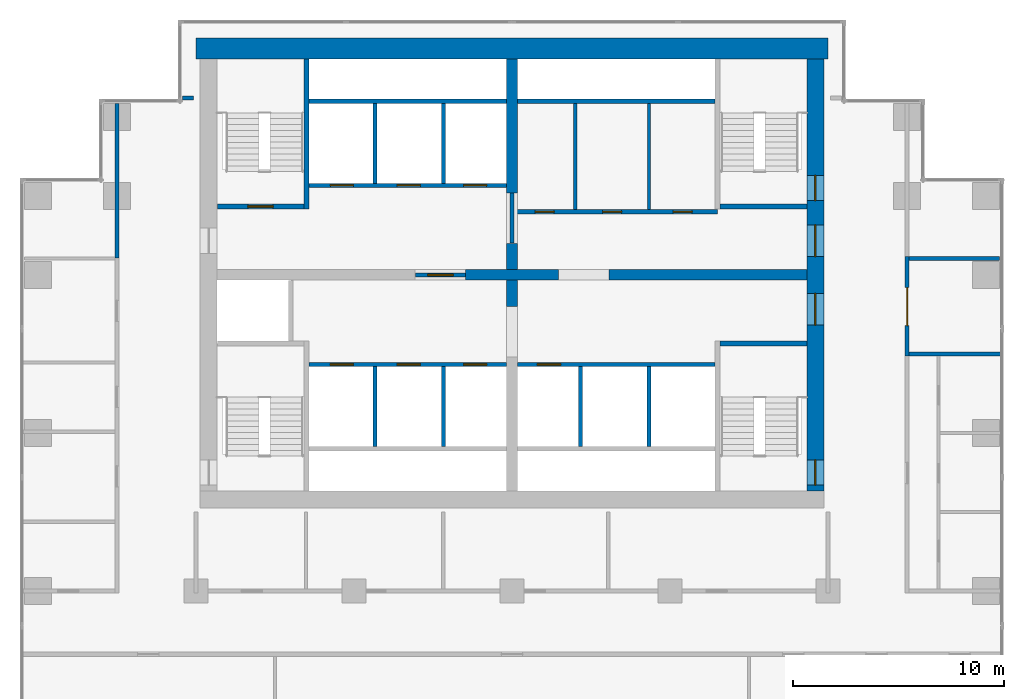
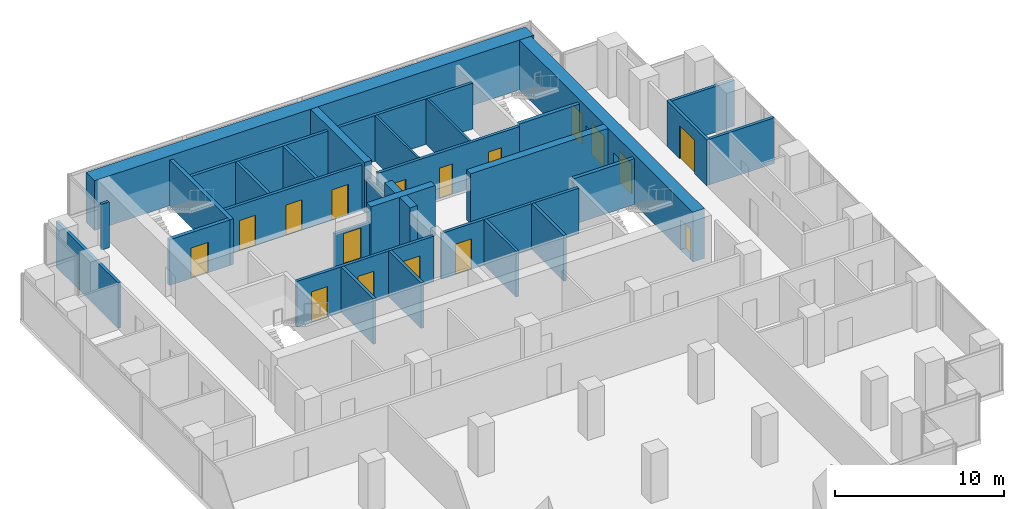
# One storey, part 8 of 10: 32 walls, 17 doors, 17 openings.
"""IFC4 building model written with IfcOpenShell, lengths in metres."""

from ifc_helpers import new_model, si_unit, direction, frame, frame_2d, origin, place, context, subcontext, project, spatial, rectangle, extrude, material, layer, layer_set, type_object, element, fill, save


model = new_model("IFC4")

# Units and contexts
model_context = context("Model", 3, precision=1e-05, world=origin(), true_north=direction((0.0, 1.0)))
body_context = subcontext(model_context, "Body", "Model", "MODEL_VIEW")
ifc_project = project(units=[si_unit("LENGTHUNIT", "METRE"), si_unit("AREAUNIT", "SQUARE_METRE"), si_unit("VOLUMEUNIT", "CUBIC_METRE"), si_unit("PLANEANGLEUNIT", "RADIAN"), si_unit("MASSUNIT", "GRAM", prefix="KILO")], contexts=[model_context])

# Site, building, storey
site_placement = place(None, origin())
site = spatial("IfcSite", under=ifc_project, at=site_placement, CompositionType="ELEMENT")
building_placement = place(site_placement, origin())
building = spatial("IfcBuilding", under=site, at=building_placement, Name="Pilkhan Gate Tower", CompositionType="ELEMENT")
storey_placement = place(building_placement, frame((0.0, 0.0, 110.800048828125)))
storey = spatial("IfcBuildingStorey", under=building, at=storey_placement, Name="L27", CompositionType="ELEMENT", Elevation=110.800048828125)

# Wall
ifc_material_1 = material(Name="Concrete C60/75", Category="concrete")
ifc_layer_1 = layer(ifc_material_1, 1.0)
ifc_layer_set_1 = layer_set([ifc_layer_1], Name="Core wall CW1000 C60/75")
wall_type_1 = type_object("IfcWallType", Name="Core wall CW1000 C60/75", PredefinedType="SHEAR", material=ifc_layer_set_1)
wall_1_placement = place(storey_placement, frame((90.0, 93.25, 0.0), z_axis=(0.0, 0.0, 1.0), x_axis=(-1.0, 0.0, 0.0)))
element("IfcWall", 1, at=wall_1_placement, inside=storey, type_object=wall_type_1, Name="Core wall N L27", PredefinedType="SHEAR", context=body_context, shape_type="SweptSolid", body=[
    extrude(rectangle(XDim=30.0, YDim=1.0, at=frame_2d((15.0, 0.0))), origin(), (0.0, 0.0, 1.0), 3.599853515625),
])

# Wall, openings, doors
ifc_layer_2 = layer(ifc_material_1, 0.800048828125)
ifc_layer_set_2 = layer_set([ifc_layer_2], Name="Core wall CW800 C60/75")
wall_type_2 = type_object("IfcWallType", Name="Core wall CW800 C60/75", PredefinedType="SHEAR", material=ifc_layer_set_2)
wall_2_placement = place(storey_placement, frame((89.39990234375, 72.25, 0.0), z_axis=(0.0, 0.0, 1.0), x_axis=(0.0, 1.0, 0.0)))
wall_2 = element("IfcWall", 2, at=wall_2_placement, inside=storey, type_object=wall_type_2, Name="Core wall E L27", PredefinedType="SHEAR", context=body_context, shape_type="SweptSolid", body=[
    extrude(rectangle(XDim=20.5, YDim=0.800048828125, at=frame_2d((10.25, 0.0))), origin(), (0.0, 0.0, 1.0), 3.599853515625),
])
opening_1_placement = place(wall_2_placement, frame((0.27490234375, 0.0, 0.0)))
opening_1 = element("IfcOpeningElement", 3, at=opening_1_placement, cuts=wall_2, Name="Opening L27-03", PredefinedType="OPENING", context=body_context, shape_type="SweptSolid", body=[
    extrude(rectangle(XDim=1.199951171875, YDim=2.199951171875, at=frame_2d((0.60009765625, 1.10009765625))), frame((0.0, 0.409912109375, 0.0), z_axis=(0.0, -1.0, 0.0), x_axis=(1.0, 0.0, 0.0)), (0.0, 0.0, 1.0), 0.820068359375),
])
opening_2_placement = place(wall_2_placement, frame((13.77490234375, 0.0, 0.0)))
opening_2 = element("IfcOpeningElement", 4, at=opening_2_placement, cuts=wall_2, Name="Opening L27-05", PredefinedType="OPENING", context=body_context, shape_type="SweptSolid", body=[
    extrude(rectangle(XDim=1.199951171875, YDim=2.199951171875, at=frame_2d((0.60009765625, 1.10009765625))), frame((0.0, 0.409912109375, 0.0), z_axis=(0.0, -1.0, 0.0), x_axis=(1.0, 0.0, 0.0)), (0.0, 0.0, 1.0), 0.820068359375),
])
opening_3_placement = place(wall_2_placement, frame((7.875, 0.0, 0.0)))
opening_3 = element("IfcOpeningElement", 5, at=opening_3_placement, cuts=wall_2, Name="Opening L27-08", PredefinedType="OPENING", context=body_context, shape_type="SweptSolid", body=[
    extrude(rectangle(XDim=1.5, YDim=2.199951171875, at=frame_2d((0.75, 1.10009765625))), frame((0.0, 0.409912109375, 0.0), z_axis=(0.0, -1.0, 0.0), x_axis=(1.0, 0.0, 0.0)), (0.0, 0.0, 1.0), 0.820068359375),
])
opening_4_placement = place(wall_2_placement, frame((11.125, 0.0, 0.0)))
opening_4 = element("IfcOpeningElement", 6, at=opening_4_placement, cuts=wall_2, Name="Opening L27-10", PredefinedType="OPENING", context=body_context, shape_type="SweptSolid", body=[
    extrude(rectangle(XDim=1.5, YDim=2.199951171875, at=frame_2d((0.75, 1.10009765625))), frame((0.0, 0.409912109375, 0.0), z_axis=(0.0, -1.0, 0.0), x_axis=(1.0, 0.0, 0.0)), (0.0, 0.0, 1.0), 0.820068359375),
])
ifc_material_2 = material(Name="Steel framed glazed door, 60 minute fire resisting", Category="steel")
door_type_1 = type_object("IfcDoorType", Name="Lobby door D09 1500x2200", OperationType="DOUBLE_DOOR_SINGLE_SWING", PredefinedType="DOOR", material=ifc_material_2)
door_1_placement = place(opening_3_placement, origin())
door_1 = element("IfcDoor", 7, at=door_1_placement, inside=storey, type_object=door_type_1, Name="Core door", OperationType="DOUBLE_DOOR_SINGLE_SWING", OverallHeight=2.199951171875, OverallWidth=1.5, PredefinedType="DOOR", context=body_context, shape_type="SweptSolid", body=[
    extrude(rectangle(XDim=1.5, YDim=2.199951171875, at=frame_2d((0.75, 1.10009765625))), frame((0.0, 0.02490234375, 0.0), z_axis=(0.0, -1.0, 0.0), x_axis=(1.0, 0.0, 0.0)), (0.0, 0.0, 1.0), 0.050048828125),
])
fill(opening_3, door_1)
door_2_placement = place(opening_4_placement, origin())
door_2 = element("IfcDoor", 8, at=door_2_placement, inside=storey, type_object=door_type_1, Name="Core door", OperationType="DOUBLE_DOOR_SINGLE_SWING", OverallHeight=2.199951171875, OverallWidth=1.5, PredefinedType="DOOR", context=body_context, shape_type="SweptSolid", body=[
    extrude(rectangle(XDim=1.5, YDim=2.199951171875, at=frame_2d((0.75, 1.10009765625))), frame((0.0, 0.02490234375, 0.0), z_axis=(0.0, -1.0, 0.0), x_axis=(1.0, 0.0, 0.0)), (0.0, 0.0, 1.0), 0.050048828125),
])
fill(opening_4, door_2)
ifc_material_3 = material(Name="Steel door, 120 minute fire resisting, panic bar", Category="steel")
door_type_2 = type_object("IfcDoorType", Name="Stair door D11 1200x2200", OperationType="SINGLE_SWING_LEFT", PredefinedType="DOOR", material=ifc_material_3)
door_3_placement = place(opening_1_placement, origin())
door_3 = element("IfcDoor", 9, at=door_3_placement, inside=storey, type_object=door_type_2, Name="Stair ST1 door", OperationType="SINGLE_SWING_LEFT", OverallHeight=2.199951171875, OverallWidth=1.199951171875, PredefinedType="DOOR", context=body_context, shape_type="SweptSolid", body=[
    extrude(rectangle(XDim=1.199951171875, YDim=2.199951171875, at=frame_2d((0.60009765625, 1.10009765625))), frame((0.0, 0.02490234375, 0.0), z_axis=(0.0, -1.0, 0.0), x_axis=(1.0, 0.0, 0.0)), (0.0, 0.0, 1.0), 0.050048828125),
])
fill(opening_1, door_3)
door_4_placement = place(opening_2_placement, origin())
door_4 = element("IfcDoor", 10, at=door_4_placement, inside=storey, type_object=door_type_2, Name="Stair ST4 door", OperationType="SINGLE_SWING_LEFT", OverallHeight=2.199951171875, OverallWidth=1.199951171875, PredefinedType="DOOR", context=body_context, shape_type="SweptSolid", body=[
    extrude(rectangle(XDim=1.199951171875, YDim=2.199951171875, at=frame_2d((0.60009765625, 1.10009765625))), frame((0.0, 0.02490234375, 0.0), z_axis=(0.0, -1.0, 0.0), x_axis=(1.0, 0.0, 0.0)), (0.0, 0.0, 1.0), 0.050048828125),
])
fill(opening_2, door_4)

# Walls
ifc_material_4 = material(Name="Dense blockwork", Category="masonry")
ifc_layer_3 = layer(ifc_material_4, 0.199951171875)
ifc_layer_set_3 = layer_set([ifc_layer_3], Name="Corridor wall FW200")
wall_type_3 = type_object("IfcWallType", Name="Corridor wall FW200", PredefinedType="PARTITIONING", material=ifc_layer_set_3)
wall_3_placement = place(storey_placement, frame((59.35498046875, 90.89990234375, 0.0), z_axis=(0.0, 0.0, 1.0), x_axis=(1.0, 0.0, 0.0)))
element("IfcWall", 11, at=wall_3_placement, inside=storey, type_object=wall_type_3, Name="Partition L27", PredefinedType="PARTITIONING", context=body_context, shape_type="SweptSolid", body=[
    extrude(rectangle(XDim=0.52490234375, YDim=0.199951171875, at=frame_2d((0.262451171875, 0.0))), origin(), (0.0, 0.0, 1.0), 3.300048828125),
])
wall_4_placement = place(storey_placement, frame((56.25, 83.31005859375, 0.0), z_axis=(0.0, 0.0, 1.0), x_axis=(0.0, 1.0, 0.0)))
element("IfcWall", 12, at=wall_4_placement, inside=storey, type_object=wall_type_3, Name="Partition L27", PredefinedType="PARTITIONING", context=body_context, shape_type="SweptSolid", body=[
    extrude(rectangle(XDim=7.3349609375, YDim=0.199951171875, at=frame_2d((3.66748046875, 0.0))), origin(), (0.0, 0.0, 1.0), 3.300048828125),
])
ifc_layer_4 = layer(ifc_material_4, 0.199951171875)
ifc_layer_set_4 = layer_set([ifc_layer_4], Name="Lobby wall LW200")
wall_type_4 = type_object("IfcWallType", Name="Lobby wall LW200", PredefinedType="PARTITIONING", material=ifc_layer_set_4)
wall_5_placement = place(storey_placement, frame((93.85009765625, 78.75, 0.0), z_axis=(0.0, 0.0, 1.0), x_axis=(1.0, 0.0, 0.0)))
element("IfcWall", 13, at=wall_5_placement, inside=storey, type_object=wall_type_4, Name="Partition L27", PredefinedType="PARTITIONING", context=body_context, shape_type="SweptSolid", body=[
    extrude(rectangle(XDim=4.414794921875, YDim=0.199951171875, at=frame_2d((2.20751953125, 0.0))), origin(), (0.0, 0.0, 1.0), 3.300048828125),
])

# Wall, opening, door
wall_6_placement = place(storey_placement, frame((70.409912109375, 82.5, 0.0), z_axis=(0.0, 0.0, 1.0), x_axis=(1.0, 0.0, 0.0)))
wall_6 = element("IfcWall", 14, at=wall_6_placement, inside=storey, type_object=wall_type_4, Name="Partition L27", PredefinedType="PARTITIONING", context=body_context, shape_type="SweptSolid", body=[
    extrude(rectangle(XDim=2.380126953125, YDim=0.199951171875, at=frame_2d((1.18994140625, 0.0))), origin(), (0.0, 0.0, 1.0), 2.39990234375),
])
opening_5_placement = place(wall_6_placement, frame((0.60009765625, 0.0, 0.0)))
opening_5 = element("IfcOpeningElement", 15, at=opening_5_placement, cuts=wall_6, Name="Opening L27-01", PredefinedType="OPENING", context=body_context, shape_type="SweptSolid", body=[
    extrude(rectangle(XDim=1.199951171875, YDim=2.199951171875, at=frame_2d((0.60009765625, 1.10009765625))), frame((0.0, 0.10986328125, 0.0), z_axis=(0.0, -1.0, 0.0), x_axis=(1.0, 0.0, 0.0)), (0.0, 0.0, 1.0), 0.219970703125),
])
ifc_material_5 = material(Name="Steel door, 120 minute fire resisting, self-closing", Category="steel")
door_type_3 = type_object("IfcDoorType", Name="Firefighting lobby door D10 1200x2200", OperationType="SINGLE_SWING_LEFT", PredefinedType="DOOR", material=ifc_material_5)
door_5_placement = place(opening_5_placement, origin())
door_5 = element("IfcDoor", 16, at=door_5_placement, inside=storey, type_object=door_type_3, Name="Firefighting lobby door", OperationType="SINGLE_SWING_RIGHT", OverallHeight=2.199951171875, OverallWidth=1.199951171875, PredefinedType="DOOR", context=body_context, shape_type="SweptSolid", body=[
    extrude(rectangle(XDim=1.199951171875, YDim=2.199951171875, at=frame_2d((0.60009765625, 1.10009765625))), frame((0.0, 0.02490234375, 0.0), z_axis=(0.0, -1.0, 0.0), x_axis=(1.0, 0.0, 0.0)), (0.0, 0.0, 1.0), 0.050048828125),
])
fill(opening_5, door_5)

# Wall
wall_7_placement = place(storey_placement, frame((93.85009765625, 83.280029296875, 0.0), z_axis=(0.0, 0.0, 1.0), x_axis=(1.0, 0.0, 0.0)))
element("IfcWall", 17, at=wall_7_placement, inside=storey, type_object=wall_type_4, Name="Partition L27", PredefinedType="PARTITIONING", context=body_context, shape_type="SweptSolid", body=[
    extrude(rectangle(XDim=4.294921875, YDim=0.199951171875, at=frame_2d((2.1474609375, 0.0))), origin(), (0.0, 0.0, 1.0), 3.300048828125),
])

# Wall, openings, doors
wall_8_placement = place(storey_placement, frame((75.10009765625, 85.5, 0.0), z_axis=(0.0, 0.0, 1.0), x_axis=(1.0, 0.0, 0.0)))
wall_8 = element("IfcWall", 18, at=wall_8_placement, inside=storey, type_object=wall_type_4, Name="Partition L27", PredefinedType="PARTITIONING", context=body_context, shape_type="SweptSolid", body=[
    extrude(rectangle(XDim=9.64990234375, YDim=0.199951171875, at=frame_2d((4.824951171875, 0.0))), origin(), (0.0, 0.0, 1.0), 3.300048828125),
])
opening_6_placement = place(wall_8_placement, frame((1.0, 0.0, 0.0)))
opening_6 = element("IfcOpeningElement", 19, at=opening_6_placement, cuts=wall_8, Name="Opening L27-11", PredefinedType="OPENING", context=body_context, shape_type="SweptSolid", body=[
    extrude(rectangle(XDim=0.89990234375, YDim=2.199951171875, at=frame_2d((0.449951171875, 1.10009765625))), frame((0.0, 0.10986328125, 0.0), z_axis=(0.0, -1.0, 0.0), x_axis=(1.0, 0.0, 0.0)), (0.0, 0.0, 1.0), 0.219970703125),
])
opening_7_placement = place(wall_8_placement, frame((4.199951171875, 0.0, 0.0)))
opening_7 = element("IfcOpeningElement", 20, at=opening_7_placement, cuts=wall_8, Name="Opening L27-12", PredefinedType="OPENING", context=body_context, shape_type="SweptSolid", body=[
    extrude(rectangle(XDim=0.89990234375, YDim=2.199951171875, at=frame_2d((0.449951171875, 1.10009765625))), frame((0.0, 0.10986328125, 0.0), z_axis=(0.0, -1.0, 0.0), x_axis=(1.0, 0.0, 0.0)), (0.0, 0.0, 1.0), 0.219970703125),
])
opening_8_placement = place(wall_8_placement, frame((7.550048828125, 0.0, 0.0)))
opening_8 = element("IfcOpeningElement", 21, at=opening_8_placement, cuts=wall_8, Name="Opening L27-13", PredefinedType="OPENING", context=body_context, shape_type="SweptSolid", body=[
    extrude(rectangle(XDim=0.89990234375, YDim=2.199951171875, at=frame_2d((0.449951171875, 1.10009765625))), frame((0.0, 0.10986328125, 0.0), z_axis=(0.0, -1.0, 0.0), x_axis=(1.0, 0.0, 0.0)), (0.0, 0.0, 1.0), 0.219970703125),
])
ifc_material_6 = material(Name="Timber flush door, 60 minute fire resisting, self-closing", Category="wood")
door_type_4 = type_object("IfcDoorType", Name="Store door D05 900x2200", OperationType="SINGLE_SWING_LEFT", PredefinedType="DOOR", material=ifc_material_6)
door_6_placement = place(opening_7_placement, origin())
door_6 = element("IfcDoor", 22, at=door_6_placement, inside=storey, type_object=door_type_4, Name="Store door", OperationType="SINGLE_SWING_LEFT", OverallHeight=2.199951171875, OverallWidth=0.89990234375, PredefinedType="DOOR", context=body_context, shape_type="SweptSolid", body=[
    extrude(rectangle(XDim=0.89990234375, YDim=2.199951171875, at=frame_2d((0.449951171875, 1.10009765625))), frame((0.0, 0.02490234375, 0.0), z_axis=(0.0, -1.0, 0.0), x_axis=(1.0, 0.0, 0.0)), (0.0, 0.0, 1.0), 0.050048828125),
])
fill(opening_7, door_6)
door_7_placement = place(opening_8_placement, origin())
door_7 = element("IfcDoor", 23, at=door_7_placement, inside=storey, type_object=door_type_4, Name="Store door", OperationType="SINGLE_SWING_LEFT", OverallHeight=2.199951171875, OverallWidth=0.89990234375, PredefinedType="DOOR", context=body_context, shape_type="SweptSolid", body=[
    extrude(rectangle(XDim=0.89990234375, YDim=2.199951171875, at=frame_2d((0.449951171875, 1.10009765625))), frame((0.0, 0.02490234375, 0.0), z_axis=(0.0, -1.0, 0.0), x_axis=(1.0, 0.0, 0.0)), (0.0, 0.0, 1.0), 0.050048828125),
])
fill(opening_8, door_7)
ifc_material_7 = material(Name="Timber flush door, 30 minute fire resisting", Category="wood")
door_type_5 = type_object("IfcDoorType", Name="Toilet door D06 900x2200", OperationType="SINGLE_SWING_LEFT", PredefinedType="DOOR", material=ifc_material_7)
door_8_placement = place(opening_6_placement, origin())
door_8 = element("IfcDoor", 24, at=door_8_placement, inside=storey, type_object=door_type_5, Name="Toilet door", OperationType="SINGLE_SWING_RIGHT", OverallHeight=2.199951171875, OverallWidth=0.89990234375, PredefinedType="DOOR", context=body_context, shape_type="SweptSolid", body=[
    extrude(rectangle(XDim=0.89990234375, YDim=2.199951171875, at=frame_2d((0.449951171875, 1.10009765625))), frame((0.0, 0.02490234375, 0.0), z_axis=(0.0, -1.0, 0.0), x_axis=(1.0, 0.0, 0.0)), (0.0, 0.0, 1.0), 0.050048828125),
])
fill(opening_6, door_8)

# Walls
wall_9_placement = place(storey_placement, frame((75.260009765625, 90.75, 0.0), z_axis=(0.0, 0.0, 1.0), x_axis=(1.0, 0.0, 0.0)))
element("IfcWall", 25, at=wall_9_placement, inside=storey, type_object=wall_type_4, Name="Partition L27", PredefinedType="PARTITIONING", context=body_context, shape_type="SweptSolid", body=[
    extrude(rectangle(XDim=9.364990234375, YDim=0.199951171875, at=frame_2d((4.6826171875, 0.0))), origin(), (0.0, 0.0, 1.0), 3.300048828125),
])
wall_10_placement = place(storey_placement, frame((75.0, 84.010009765625, 0.0), z_axis=(0.0, 0.0, 1.0), x_axis=(0.0, 1.0, 0.0)))
element("IfcWall", 26, at=wall_10_placement, inside=storey, type_object=wall_type_4, Name="Partition L27", PredefinedType="PARTITIONING", context=body_context, shape_type="SweptSolid", body=[
    extrude(rectangle(XDim=2.3798828125, YDim=0.199951171875, at=frame_2d((1.18994140625, 0.0))), origin(), (0.0, 0.0, 1.0), 2.39990234375),
])

# Wall, opening, door
wall_11_placement = place(storey_placement, frame((93.75, 78.64990234375, 0.0), z_axis=(0.0, 0.0, 1.0), x_axis=(0.0, 1.0, 0.0)))
wall_11 = element("IfcWall", 27, at=wall_11_placement, inside=storey, type_object=wall_type_4, Name="Partition L27", PredefinedType="PARTITIONING", context=body_context, shape_type="SweptSolid", body=[
    extrude(rectangle(XDim=4.72998046875, YDim=0.199951171875, at=frame_2d((2.364990234375, 0.0))), origin(), (0.0, 0.0, 1.0), 3.300048828125),
])
opening_9_placement = place(wall_11_placement, frame((1.449951171875, 0.0, 0.0)))
opening_9 = element("IfcOpeningElement", 28, at=opening_9_placement, cuts=wall_11, Name="Opening L27-26", PredefinedType="OPENING", context=body_context, shape_type="SweptSolid", body=[
    extrude(rectangle(XDim=1.800048828125, YDim=2.39990234375, at=frame_2d((0.89990234375, 1.199951171875))), frame((0.0, 0.10986328125, 0.0), z_axis=(0.0, -1.0, 0.0), x_axis=(1.0, 0.0, 0.0)), (0.0, 0.0, 1.0), 0.219970703125),
])
ifc_material_8 = material(Name="Steel door, 120 minute fire resisting", Category="steel")
door_type_6 = type_object("IfcDoorType", Name="Plant room door D08 1800x2400", OperationType="DOUBLE_DOOR_SINGLE_SWING", PredefinedType="DOOR", material=ifc_material_8)
door_9_placement = place(opening_9_placement, origin())
door_9 = element("IfcDoor", 29, at=door_9_placement, inside=storey, type_object=door_type_6, Name="Plant room door", OperationType="DOUBLE_DOOR_SINGLE_SWING", OverallHeight=2.39990234375, OverallWidth=1.800048828125, PredefinedType="DOOR", context=body_context, shape_type="SweptSolid", body=[
    extrude(rectangle(XDim=1.800048828125, YDim=2.39990234375, at=frame_2d((0.89990234375, 1.199951171875))), frame((0.0, 0.02490234375, 0.0), z_axis=(0.0, -1.0, 0.0), x_axis=(1.0, 0.0, 0.0)), (0.0, 0.0, 1.0), 0.050048828125),
])
fill(opening_9, door_9)

# Walls
ifc_material_9 = material(Name="Blockwork partition, plastered both sides", Category="masonry")
ifc_layer_5 = layer(ifc_material_9, 0.14990234375)
ifc_layer_set_5 = layer_set([ifc_layer_5], Name="Partition PW150")
wall_type_5 = type_object("IfcWallType", Name="Partition PW150", PredefinedType="PARTITIONING", material=ifc_layer_set_5)
for number, where, z_axis, x_axis, name in (
    (30, (78.0, 85.60009765625, 0.0), (0.0, 0.0, 1.0), (0.0, 1.0, 0.0), "Partition L27"),
    (31, (81.5, 85.60009765625, 0.0), (0.0, 0.0, 1.0), (0.0, 1.0, 0.0), "Partition L27"),
):
    element("IfcWall", number, at=place(storey_placement, frame(where, z_axis=z_axis, x_axis=x_axis)), inside=storey, type_object=wall_type_5, Name=name, PredefinedType="PARTITIONING", context=body_context, shape_type="SweptSolid", body=[
        extrude(rectangle(XDim=5.0498046875, YDim=0.14990234375, at=frame_2d((2.52490234375, 0.0))), origin(), (0.0, 0.0, 1.0), 3.300048828125),
    ])

# Wall, openings, doors
ifc_material_10 = material(Name="Reinforced blockwork shaft wall, 120 minute fire resisting", Category="masonry")
ifc_layer_6 = layer(ifc_material_10, 0.199951171875)
ifc_layer_set_6 = layer_set([ifc_layer_6], Name="Shaft wall SW200")
wall_type_6 = type_object("IfcWallType", Name="Shaft wall SW200", PredefinedType="PARTITIONING", material=ifc_layer_set_6)
wall_12_placement = place(storey_placement, frame((65.375, 78.25, 0.0), z_axis=(0.0, 0.0, 1.0), x_axis=(1.0, 0.0, 0.0)))
wall_12 = element("IfcWall", 32, at=wall_12_placement, inside=storey, type_object=wall_type_6, Name="Partition L27", PredefinedType="PARTITIONING", context=body_context, shape_type="SweptSolid", body=[
    extrude(rectangle(XDim=9.364990234375, YDim=0.199951171875, at=frame_2d((4.6826171875, 0.0))), origin(), (0.0, 0.0, 1.0), 3.300048828125),
])
opening_10_placement = place(wall_12_placement, frame((1.0, 0.0, 0.0)))
opening_10 = element("IfcOpeningElement", 33, at=opening_10_placement, cuts=wall_12, Name="Opening LD", PredefinedType="OPENING", context=body_context, shape_type="SweptSolid", body=[
    extrude(rectangle(XDim=1.10009765625, YDim=2.199951171875, at=frame_2d((0.550048828125, 1.10009765625))), frame((0.0, 0.10986328125, 0.0), z_axis=(0.0, -1.0, 0.0), x_axis=(1.0, 0.0, 0.0)), (0.0, 0.0, 1.0), 0.219970703125),
])
opening_11_placement = place(wall_12_placement, frame((4.175048828125, 0.0, 0.0)))
opening_11 = element("IfcOpeningElement", 34, at=opening_11_placement, cuts=wall_12, Name="Opening LD", PredefinedType="OPENING", context=body_context, shape_type="SweptSolid", body=[
    extrude(rectangle(XDim=1.10009765625, YDim=2.199951171875, at=frame_2d((0.550048828125, 1.10009765625))), frame((0.0, 0.10986328125, 0.0), z_axis=(0.0, -1.0, 0.0), x_axis=(1.0, 0.0, 0.0)), (0.0, 0.0, 1.0), 0.219970703125),
])
opening_12_placement = place(wall_12_placement, frame((7.324951171875, 0.0, 0.0)))
opening_12 = element("IfcOpeningElement", 35, at=opening_12_placement, cuts=wall_12, Name="Opening LD", PredefinedType="OPENING", context=body_context, shape_type="SweptSolid", body=[
    extrude(rectangle(XDim=1.10009765625, YDim=2.199951171875, at=frame_2d((0.550048828125, 1.10009765625))), frame((0.0, 0.10986328125, 0.0), z_axis=(0.0, -1.0, 0.0), x_axis=(1.0, 0.0, 0.0)), (0.0, 0.0, 1.0), 0.219970703125),
])
ifc_material_11 = material(Name="Stainless steel centre-opening landing door, 120 minute fire resisting", Category="steel")
door_type_7 = type_object("IfcDoorType", Name="Lift landing door LD 1100x2200", OperationType="DOUBLE_DOOR_SLIDING", PredefinedType="DOOR", material=ifc_material_11)
door_10_placement = place(opening_10_placement, origin())
door_10 = element("IfcDoor", 36, at=door_10_placement, inside=storey, type_object=door_type_7, Name="Landing door LR1", OperationType="DOUBLE_DOOR_SLIDING", OverallHeight=2.199951171875, OverallWidth=1.10009765625, PredefinedType="DOOR", context=body_context, shape_type="SweptSolid", body=[
    extrude(rectangle(XDim=1.10009765625, YDim=2.199951171875, at=frame_2d((0.550048828125, 1.10009765625))), frame((0.0, 0.02490234375, 0.0), z_axis=(0.0, -1.0, 0.0), x_axis=(1.0, 0.0, 0.0)), (0.0, 0.0, 1.0), 0.050048828125),
])
fill(opening_10, door_10)
door_11_placement = place(opening_11_placement, origin())
door_11 = element("IfcDoor", 37, at=door_11_placement, inside=storey, type_object=door_type_7, Name="Landing door LR2", OperationType="DOUBLE_DOOR_SLIDING", OverallHeight=2.199951171875, OverallWidth=1.10009765625, PredefinedType="DOOR", context=body_context, shape_type="SweptSolid", body=[
    extrude(rectangle(XDim=1.10009765625, YDim=2.199951171875, at=frame_2d((0.550048828125, 1.10009765625))), frame((0.0, 0.02490234375, 0.0), z_axis=(0.0, -1.0, 0.0), x_axis=(1.0, 0.0, 0.0)), (0.0, 0.0, 1.0), 0.050048828125),
])
fill(opening_11, door_11)
door_12_placement = place(opening_12_placement, origin())
door_12 = element("IfcDoor", 38, at=door_12_placement, inside=storey, type_object=door_type_7, Name="Landing door LR3", OperationType="DOUBLE_DOOR_SLIDING", OverallHeight=2.199951171875, OverallWidth=1.10009765625, PredefinedType="DOOR", context=body_context, shape_type="SweptSolid", body=[
    extrude(rectangle(XDim=1.10009765625, YDim=2.199951171875, at=frame_2d((0.550048828125, 1.10009765625))), frame((0.0, 0.02490234375, 0.0), z_axis=(0.0, -1.0, 0.0), x_axis=(1.0, 0.0, 0.0)), (0.0, 0.0, 1.0), 0.050048828125),
])
fill(opening_12, door_12)

# Wall, opening, door
wall_13_placement = place(storey_placement, frame((75.260009765625, 78.25, 0.0), z_axis=(0.0, 0.0, 1.0), x_axis=(1.0, 0.0, 0.0)))
wall_13 = element("IfcWall", 39, at=wall_13_placement, inside=storey, type_object=wall_type_6, Name="Partition L27", PredefinedType="PARTITIONING", context=body_context, shape_type="SweptSolid", body=[
    extrude(rectangle(XDim=9.364990234375, YDim=0.199951171875, at=frame_2d((4.6826171875, 0.0))), origin(), (0.0, 0.0, 1.0), 3.300048828125),
])
opening_13_placement = place(wall_13_placement, frame((0.949951171875, 0.0, 0.0)))
opening_13 = element("IfcOpeningElement", 40, at=opening_13_placement, cuts=wall_13, Name="Opening LD", PredefinedType="OPENING", context=body_context, shape_type="SweptSolid", body=[
    extrude(rectangle(XDim=1.10009765625, YDim=2.199951171875, at=frame_2d((0.550048828125, 1.10009765625))), frame((0.0, 0.10986328125, 0.0), z_axis=(0.0, -1.0, 0.0), x_axis=(1.0, 0.0, 0.0)), (0.0, 0.0, 1.0), 0.219970703125),
])
door_13_placement = place(opening_13_placement, origin())
door_13 = element("IfcDoor", 41, at=door_13_placement, inside=storey, type_object=door_type_7, Name="Landing door LR4", OperationType="DOUBLE_DOOR_SLIDING", OverallHeight=2.199951171875, OverallWidth=1.10009765625, PredefinedType="DOOR", context=body_context, shape_type="SweptSolid", body=[
    extrude(rectangle(XDim=1.10009765625, YDim=2.199951171875, at=frame_2d((0.550048828125, 1.10009765625))), frame((0.0, 0.02490234375, 0.0), z_axis=(0.0, -1.0, 0.0), x_axis=(1.0, 0.0, 0.0)), (0.0, 0.0, 1.0), 0.050048828125),
])
fill(opening_13, door_13)

# Wall, openings, doors
wall_14_placement = place(storey_placement, frame((65.375, 86.75, 0.0), z_axis=(0.0, 0.0, 1.0), x_axis=(1.0, 0.0, 0.0)))
wall_14 = element("IfcWall", 42, at=wall_14_placement, inside=storey, type_object=wall_type_6, Name="Partition L27", PredefinedType="PARTITIONING", context=body_context, shape_type="SweptSolid", body=[
    extrude(rectangle(XDim=9.364990234375, YDim=0.199951171875, at=frame_2d((4.6826171875, 0.0))), origin(), (0.0, 0.0, 1.0), 3.300048828125),
])
opening_14_placement = place(wall_14_placement, frame((1.0, 0.0, 0.0)))
opening_14 = element("IfcOpeningElement", 43, at=opening_14_placement, cuts=wall_14, Name="Opening LD", PredefinedType="OPENING", context=body_context, shape_type="SweptSolid", body=[
    extrude(rectangle(XDim=1.10009765625, YDim=2.199951171875, at=frame_2d((0.550048828125, 1.10009765625))), frame((0.0, 0.10986328125, 0.0), z_axis=(0.0, -1.0, 0.0), x_axis=(1.0, 0.0, 0.0)), (0.0, 0.0, 1.0), 0.219970703125),
])
opening_15_placement = place(wall_14_placement, frame((4.175048828125, 0.0, 0.0)))
opening_15 = element("IfcOpeningElement", 44, at=opening_15_placement, cuts=wall_14, Name="Opening LD", PredefinedType="OPENING", context=body_context, shape_type="SweptSolid", body=[
    extrude(rectangle(XDim=1.10009765625, YDim=2.199951171875, at=frame_2d((0.550048828125, 1.10009765625))), frame((0.0, 0.10986328125, 0.0), z_axis=(0.0, -1.0, 0.0), x_axis=(1.0, 0.0, 0.0)), (0.0, 0.0, 1.0), 0.219970703125),
])
opening_16_placement = place(wall_14_placement, frame((7.324951171875, 0.0, 0.0)))
opening_16 = element("IfcOpeningElement", 45, at=opening_16_placement, cuts=wall_14, Name="Opening LD", PredefinedType="OPENING", context=body_context, shape_type="SweptSolid", body=[
    extrude(rectangle(XDim=1.10009765625, YDim=2.199951171875, at=frame_2d((0.550048828125, 1.10009765625))), frame((0.0, 0.10986328125, 0.0), z_axis=(0.0, -1.0, 0.0), x_axis=(1.0, 0.0, 0.0)), (0.0, 0.0, 1.0), 0.219970703125),
])
door_14_placement = place(opening_14_placement, origin())
door_14 = element("IfcDoor", 46, at=door_14_placement, inside=storey, type_object=door_type_7, Name="Landing door FF1", OperationType="DOUBLE_DOOR_SLIDING", OverallHeight=2.199951171875, OverallWidth=1.10009765625, PredefinedType="DOOR", context=body_context, shape_type="SweptSolid", body=[
    extrude(rectangle(XDim=1.10009765625, YDim=2.199951171875, at=frame_2d((0.550048828125, 1.10009765625))), frame((0.0, 0.02490234375, 0.0), z_axis=(0.0, -1.0, 0.0), x_axis=(1.0, 0.0, 0.0)), (0.0, 0.0, 1.0), 0.050048828125),
])
fill(opening_14, door_14)
door_15_placement = place(opening_15_placement, origin())
door_15 = element("IfcDoor", 47, at=door_15_placement, inside=storey, type_object=door_type_7, Name="Landing door FF2", OperationType="DOUBLE_DOOR_SLIDING", OverallHeight=2.199951171875, OverallWidth=1.10009765625, PredefinedType="DOOR", context=body_context, shape_type="SweptSolid", body=[
    extrude(rectangle(XDim=1.10009765625, YDim=2.199951171875, at=frame_2d((0.550048828125, 1.10009765625))), frame((0.0, 0.02490234375, 0.0), z_axis=(0.0, -1.0, 0.0), x_axis=(1.0, 0.0, 0.0)), (0.0, 0.0, 1.0), 0.050048828125),
])
fill(opening_15, door_15)
door_16_placement = place(opening_16_placement, origin())
door_16 = element("IfcDoor", 48, at=door_16_placement, inside=storey, type_object=door_type_7, Name="Landing door SV1", OperationType="DOUBLE_DOOR_SLIDING", OverallHeight=2.199951171875, OverallWidth=1.10009765625, PredefinedType="DOOR", context=body_context, shape_type="SweptSolid", body=[
    extrude(rectangle(XDim=1.10009765625, YDim=2.199951171875, at=frame_2d((0.550048828125, 1.10009765625))), frame((0.0, 0.02490234375, 0.0), z_axis=(0.0, -1.0, 0.0), x_axis=(1.0, 0.0, 0.0)), (0.0, 0.0, 1.0), 0.050048828125),
])
fill(opening_16, door_16)

# Walls
wall_15_placement = place(storey_placement, frame((65.375, 90.75, 0.0), z_axis=(0.0, 0.0, 1.0), x_axis=(1.0, 0.0, 0.0)))
element("IfcWall", 49, at=wall_15_placement, inside=storey, type_object=wall_type_6, Name="Partition L27", PredefinedType="PARTITIONING", context=body_context, shape_type="SweptSolid", body=[
    extrude(rectangle(XDim=9.364990234375, YDim=0.199951171875, at=frame_2d((4.6826171875, 0.0))), origin(), (0.0, 0.0, 1.0), 3.300048828125),
])
for number, where, z_axis, x_axis, name in (
    (50, (68.5, 74.35009765625, 0.0), (0.0, 0.0, 1.0), (0.0, 1.0, 0.0), "Partition L27"),
    (51, (68.5, 86.85009765625, 0.0), (0.0, 0.0, 1.0), (0.0, 1.0, 0.0), "Partition L27"),
    (52, (71.75, 74.35009765625, 0.0), (0.0, 0.0, 1.0), (0.0, 1.0, 0.0), "Partition L27"),
    (53, (71.75, 86.85009765625, 0.0), (0.0, 0.0, 1.0), (0.0, 1.0, 0.0), "Partition L27"),
    (54, (78.25, 74.35009765625, 0.0), (0.0, 0.0, 1.0), (0.0, 1.0, 0.0), "Partition L27"),
    (55, (81.5, 74.35009765625, 0.0), (0.0, 0.0, 1.0), (0.0, 1.0, 0.0), "Partition L27"),
):
    element("IfcWall", number, at=place(storey_placement, frame(where, z_axis=z_axis, x_axis=x_axis)), inside=storey, type_object=wall_type_6, Name=name, PredefinedType="PARTITIONING", context=body_context, shape_type="SweptSolid", body=[
        extrude(rectangle(XDim=3.7998046875, YDim=0.199951171875, at=frame_2d((1.89990234375, 0.0))), origin(), (0.0, 0.0, 1.0), 3.300048828125),
    ])
ifc_layer_7 = layer(ifc_material_1, 0.5)
ifc_layer_set_7 = layer_set([ifc_layer_7], Name="Spine wall SW500 C60/75")
wall_type_7 = type_object("IfcWallType", Name="Spine wall SW500 C60/75", PredefinedType="SHEAR", material=ifc_layer_set_7)
wall_16_placement = place(storey_placement, frame((72.800048828125, 82.5, 0.0), z_axis=(0.0, 0.0, 1.0), x_axis=(1.0, 0.0, 0.0)))
element("IfcWall", 56, at=wall_16_placement, inside=storey, type_object=wall_type_7, Name="Spine wall SP-EW2 L27", PredefinedType="SHEAR", context=body_context, shape_type="SweptSolid", body=[
    extrude(rectangle(XDim=4.39990234375, YDim=0.5, at=frame_2d((2.199951171875, 0.0))), origin(), (0.0, 0.0, 1.0), 3.599853515625),
])
wall_17_placement = place(storey_placement, frame((79.60009765625, 82.5, 0.0), z_axis=(0.0, 0.0, 1.0), x_axis=(1.0, 0.0, 0.0)))
element("IfcWall", 57, at=wall_17_placement, inside=storey, type_object=wall_type_7, Name="Spine wall SP-EW3 L27", PredefinedType="SHEAR", context=body_context, shape_type="SweptSolid", body=[
    extrude(rectangle(XDim=9.39990234375, YDim=0.5, at=frame_2d((4.699951171875, 0.0))), origin(), (0.0, 0.0, 1.0), 3.599853515625),
])
for number, where, z_axis, x_axis, name in (
    (58, (75.0, 81.0, 0.0), (0.0, 0.0, 1.0), (0.0, 1.0, 0.0), "Spine wall SP-NS-S2 L27"),
    (59, (75.0, 82.75, 0.0), (0.0, 0.0, 1.0), (0.0, 1.0, 0.0), "Spine wall SP-NS-N1 L27"),
):
    element("IfcWall", number, at=place(storey_placement, frame(where, z_axis=z_axis, x_axis=x_axis)), inside=storey, type_object=wall_type_7, Name=name, PredefinedType="SHEAR", context=body_context, shape_type="SweptSolid", body=[
        extrude(rectangle(XDim=1.25, YDim=0.5, at=frame_2d((0.625, 0.0))), origin(), (0.0, 0.0, 1.0), 3.599853515625),
    ])
wall_18_placement = place(storey_placement, frame((75.0, 86.39990234375, 0.0), z_axis=(0.0, 0.0, 1.0), x_axis=(0.0, 1.0, 0.0)))
element("IfcWall", 60, at=wall_18_placement, inside=storey, type_object=wall_type_7, Name="Spine wall SP-NS-N2 L27", PredefinedType="SHEAR", context=body_context, shape_type="SweptSolid", body=[
    extrude(rectangle(XDim=6.35009765625, YDim=0.5, at=frame_2d((3.175048828125, 0.0))), origin(), (0.0, 0.0, 1.0), 3.599853515625),
])
ifc_material_12 = material(Name="Reinforced blockwork, 120 minute fire resisting", Category="masonry")
ifc_layer_8 = layer(ifc_material_12, 0.25)
ifc_layer_set_8 = layer_set([ifc_layer_8], Name="Stair enclosure wall SE250")
wall_type_8 = type_object("IfcWallType", Name="Stair enclosure wall SE250", PredefinedType="PARTITIONING", material=ifc_layer_set_8)
wall_19_placement = place(storey_placement, frame((84.875, 79.25, 0.0), z_axis=(0.0, 0.0, 1.0), x_axis=(1.0, 0.0, 0.0)))
element("IfcWall", 61, at=wall_19_placement, inside=storey, type_object=wall_type_8, Name="Partition L27", PredefinedType="PARTITIONING", context=body_context, shape_type="SweptSolid", body=[
    extrude(rectangle(XDim=4.125, YDim=0.25, at=frame_2d((2.0625, 0.0))), origin(), (0.0, 0.0, 1.0), 3.300048828125),
])

# Wall, opening, door
wall_20_placement = place(storey_placement, frame((61.010009765625, 85.75, 0.0), z_axis=(0.0, 0.0, 1.0), x_axis=(1.0, 0.0, 0.0)))
wall_20 = element("IfcWall", 62, at=wall_20_placement, inside=storey, type_object=wall_type_8, Name="Partition L27", PredefinedType="PARTITIONING", context=body_context, shape_type="SweptSolid", body=[
    extrude(rectangle(XDim=4.114990234375, YDim=0.25, at=frame_2d((2.0576171875, 0.0))), origin(), (0.0, 0.0, 1.0), 3.300048828125),
])
opening_17_placement = place(wall_20_placement, frame((1.449951171875, 0.0, 0.0)))
opening_17 = element("IfcOpeningElement", 63, at=opening_17_placement, cuts=wall_20, Name="Opening L27-02", PredefinedType="OPENING", context=body_context, shape_type="SweptSolid", body=[
    extrude(rectangle(XDim=1.199951171875, YDim=2.199951171875, at=frame_2d((0.60009765625, 1.10009765625))), frame((0.0, 0.135009765625, 0.0), z_axis=(0.0, -1.0, 0.0), x_axis=(1.0, 0.0, 0.0)), (0.0, 0.0, 1.0), 0.27001953125),
])
door_17_placement = place(opening_17_placement, origin())
door_17 = element("IfcDoor", 64, at=door_17_placement, inside=storey, type_object=door_type_2, Name="Stair ST3 lobby door", OperationType="SINGLE_SWING_RIGHT", OverallHeight=2.199951171875, OverallWidth=1.199951171875, PredefinedType="DOOR", context=body_context, shape_type="SweptSolid", body=[
    extrude(rectangle(XDim=1.199951171875, YDim=2.199951171875, at=frame_2d((0.60009765625, 1.10009765625))), frame((0.0, 0.02490234375, 0.0), z_axis=(0.0, -1.0, 0.0), x_axis=(1.0, 0.0, 0.0)), (0.0, 0.0, 1.0), 0.050048828125),
])
fill(opening_17, door_17)

# Walls
wall_21_placement = place(storey_placement, frame((84.875, 85.75, 0.0), z_axis=(0.0, 0.0, 1.0), x_axis=(1.0, 0.0, 0.0)))
element("IfcWall", 65, at=wall_21_placement, inside=storey, type_object=wall_type_8, Name="Partition L27", PredefinedType="PARTITIONING", context=body_context, shape_type="SweptSolid", body=[
    extrude(rectangle(XDim=4.125, YDim=0.25, at=frame_2d((2.0625, 0.0))), origin(), (0.0, 0.0, 1.0), 3.300048828125),
])
wall_22_placement = place(storey_placement, frame((65.25, 85.625, 0.0), z_axis=(0.0, 0.0, 1.0), x_axis=(0.0, 1.0, 0.0)))
element("IfcWall", 66, at=wall_22_placement, inside=storey, type_object=wall_type_8, Name="Partition L27", PredefinedType="PARTITIONING", context=body_context, shape_type="SweptSolid", body=[
    extrude(rectangle(XDim=7.114990234375, YDim=0.25, at=frame_2d((3.5576171875, 0.0))), origin(), (0.0, 0.0, 1.0), 3.300048828125),
])

save(model, "model.ifc")
